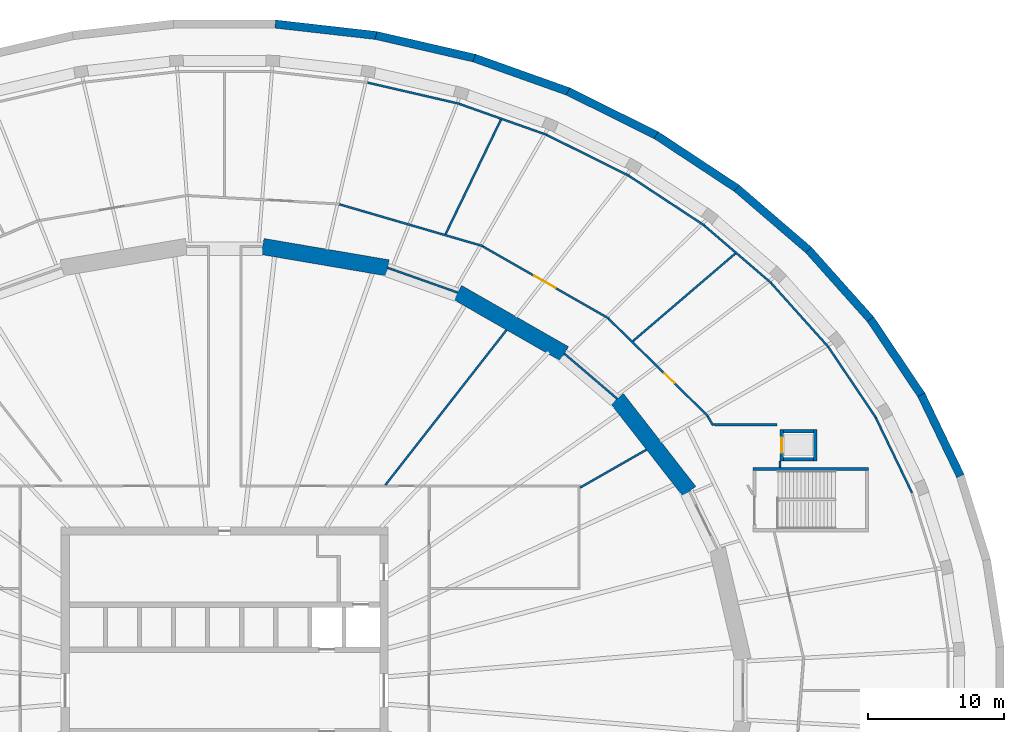
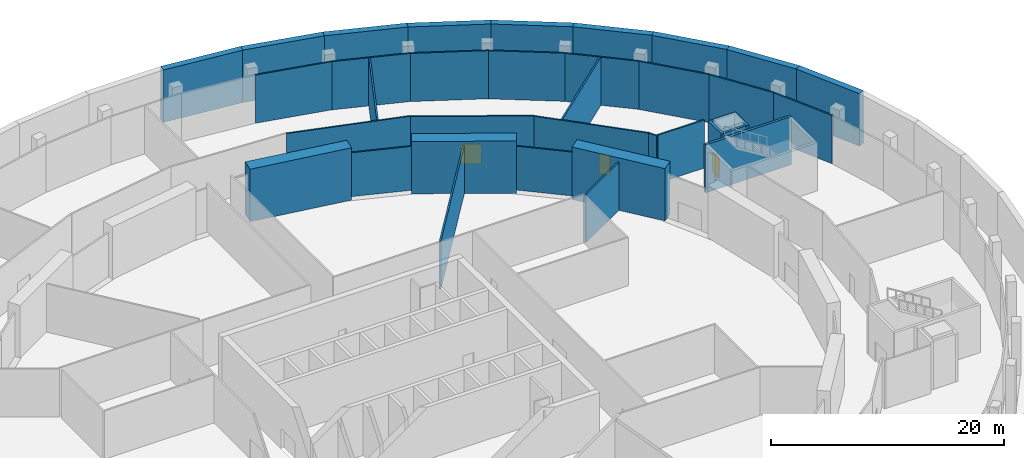
# One storey, part 11 of 14: 37 walls, 3 doors, 3 openings.
"""IFC4 building model written with IfcOpenShell, lengths in metres."""

from ifc_helpers import new_model, si_unit, direction, frame, frame_2d, origin, place, context, subcontext, project, spatial, polyline, rectangle, outline, extrude, material, layer, layer_set, type_object, element, fill, save


model = new_model("IFC4")

# Units and contexts
model_context = context("Model", 3, precision=1e-05, world=origin(), true_north=direction((0.0, 1.0)))
body_context = subcontext(model_context, "Body", "Model", "MODEL_VIEW")
ifc_project = project(units=[si_unit("LENGTHUNIT", "METRE"), si_unit("AREAUNIT", "SQUARE_METRE"), si_unit("VOLUMEUNIT", "CUBIC_METRE"), si_unit("PLANEANGLEUNIT", "RADIAN"), si_unit("MASSUNIT", "GRAM", prefix="KILO")], contexts=[model_context])

# Site, building, storey
site_placement = place(None, origin())
site = spatial("IfcSite", under=ifc_project, at=site_placement, CompositionType="ELEMENT")
building_placement = place(site_placement, origin())
building = spatial("IfcBuilding", under=site, at=building_placement, Name="Halqa Exchange Tower", CompositionType="ELEMENT")
storey_placement = place(building_placement, frame((0.0, 0.0, -9.5)))
storey = spatial("IfcBuildingStorey", under=building, at=storey_placement, Name="B2", CompositionType="ELEMENT", Elevation=-9.5)

# Walls
ifc_material_1 = material(Name="Fire-rated gypsum board")
ifc_layer_1 = layer(ifc_material_1, 0.14990234375)
ifc_layer_set_1 = layer_set([ifc_layer_1], Name="Fire-rated gypsum board")
wall_type_1 = type_object("IfcWallType", Name="Fire partition EI 60 150", PredefinedType="PARTITIONING", material=ifc_layer_set_1)
wall_1_placement = place(storey_placement, frame((8.416015625, 35.672119140625, 0.0), z_axis=(0.0, 0.0, 1.0), x_axis=(0.960099578905, -0.279658360479, 0.0)))
element("IfcWall", 1, at=wall_1_placement, inside=storey, type_object=wall_type_1, Name="B2-PWL-084", PredefinedType="PARTITIONING", context=body_context, shape_type="SweptSolid", body=[
    extrude(rectangle(XDim=10.97705078125, YDim=0.14990234375, at=frame_2d((5.488525390625, 0.0))), origin(), (0.0, 0.0, 1.0), 5.050048828125),
])
wall_2_placement = place(storey_placement, frame((10.4833984375, 44.600830078125, 0.0), z_axis=(0.0, 0.0, 1.0), x_axis=(0.974487031509, -0.224443813504, 0.0)))
element("IfcWall", 2, at=wall_2_placement, inside=storey, type_object=wall_type_1, Name="B2-PWL-086", PredefinedType="PARTITIONING", context=body_context, shape_type="SweptSolid", body=[
    extrude(rectangle(XDim=6.90625, YDim=0.14990234375, at=frame_2d((3.453125, 0.0))), origin(), (0.0, 0.0, 1.0), 5.050048828125),
])
wall_3_placement = place(storey_placement, frame((11.7880859375, 15.074462890625, 0.0), z_axis=(0.0, 0.0, 1.0), x_axis=(0.615848120598, 0.787864894735, 0.0)))
element("IfcWall", 3, at=wall_3_placement, inside=storey, type_object=wall_type_1, Name="B2-PWL-088", PredefinedType="PARTITIONING", context=body_context, shape_type="SweptSolid", body=[
    extrude(outline(polyline([(0.0, -0.074951171875), (14.44921875, -0.074951171875), (14.427734375, 0.074951171875), (0.0, 0.074951171875), (0.0, -0.074951171875)])), origin(), (0.0, 0.0, 1.0), 5.050048828125),
])
wall_4_placement = place(storey_placement, frame((16.2041015625, 33.480712890625, 0.0), z_axis=(0.0, 0.0, 1.0), x_axis=(0.435389941519, 0.90024196682, 0.0)))
element("IfcWall", 4, at=wall_4_placement, inside=storey, type_object=wall_type_1, Name="B2-PWL-095", PredefinedType="PARTITIONING", context=body_context, shape_type="SweptSolid", body=[
    extrude(outline(polyline([(0.0126953125, -0.074951171875), (9.339111328125, -0.074951171875), (9.322509765625, 0.074951171875), (-0.0126953125, 0.074951171875), (0.0126953125, -0.074951171875)])), origin(), (0.0, 0.0, 1.0), 5.050048828125),
])
wall_5_placement = place(storey_placement, frame((17.0908203125, 29.19970703125, 0.0), z_axis=(0.0, 0.0, 1.0), x_axis=(-0.942814385805, 0.333318217204, 0.0)))
element("IfcWall", 5, at=wall_5_placement, inside=storey, type_object=wall_type_1, Name="B2-PWL-096", PredefinedType="PARTITIONING", context=body_context, shape_type="SweptSolid", body=[
    extrude(outline(polyline([(-0.013671875, -0.074951171875), (5.44775390625, -0.074951171875), (5.421875, 0.074951171875), (0.013671875, 0.074951171875), (-0.013671875, -0.074951171875)])), origin(), (0.0, 0.0, 1.0), 4.60009765625),
])
wall_6_placement = place(storey_placement, frame((17.210693359375, 43.04150390625, 0.0), z_axis=(0.0, 0.0, 1.0), x_axis=(0.94266330093, -0.333745263757, 0.0)))
element("IfcWall", 6, at=wall_6_placement, inside=storey, type_object=wall_type_1, Name="B2-PWL-099", PredefinedType="PARTITIONING", context=body_context, shape_type="SweptSolid", body=[
    extrude(rectangle(XDim=6.83154296875, YDim=0.14990234375, at=frame_2d((3.415771484375, 0.0))), origin(), (0.0, 0.0, 1.0), 5.050048828125),
])

# Wall, opening, door
wall_7_placement = place(storey_placement, frame((18.94775390625, 32.579833984375, 0.0), z_axis=(0.0, 0.0, 1.0), x_axis=(0.867835024459, -0.496852463336, 0.0)))
wall_7 = element("IfcWall", 7, at=wall_7_placement, inside=storey, type_object=wall_type_1, Name="B2-PWL-100", PredefinedType="PARTITIONING", context=body_context, shape_type="SweptSolid", body=[
    extrude(rectangle(XDim=10.646728515625, YDim=0.14990234375, at=frame_2d((5.3232421875, 0.0))), origin(), (0.0, 0.0, 1.0), 5.050048828125),
])
opening_1_placement = place(wall_7_placement, frame((4.322509765625, 0.0, 0.0)))
opening_1 = element("IfcOpeningElement", 8, at=opening_1_placement, cuts=wall_7, Name="Opening B2-23", PredefinedType="OPENING", context=body_context, shape_type="SweptSolid", body=[
    extrude(rectangle(XDim=1.800048828125, YDim=2.10009765625, at=frame_2d((0.89990234375, 1.050048828125))), frame((0.0, 0.0869140625, 0.0), z_axis=(0.0, -1.0, 0.0), x_axis=(1.0, 0.0, 0.0)), (0.0, 0.0, 1.0), 0.173828125),
])
ifc_material_2 = material(Name="Steel fire door leaf", Category="steel")
door_type_1 = type_object("IfcDoorType", Name="Fire door FD30S double 1800 x 2100", OperationType="DOUBLE_DOOR_SINGLE_SWING", PredefinedType="DOOR", material=ifc_material_2)
door_1_placement = place(opening_1_placement, origin())
door_1 = element("IfcDoor", 9, at=door_1_placement, inside=storey, type_object=door_type_1, Name="B2-IDR-023", OperationType="DOUBLE_DOOR_SINGLE_SWING", OverallHeight=2.10009765625, OverallWidth=1.800048828125, PredefinedType="DOOR", context=body_context, shape_type="SweptSolid", body=[
    extrude(rectangle(XDim=1.800048828125, YDim=2.10009765625, at=frame_2d((0.89990234375, 1.050048828125))), frame((0.0, 0.02490234375, 0.0), z_axis=(0.0, -1.0, 0.0), x_axis=(1.0, 0.0, 0.0)), (0.0, 0.0, 1.0), 0.050048828125),
])
fill(opening_1, door_1)

# Walls
wall_8_placement = place(storey_placement, frame((23.646484375, 40.751953125, 0.0), z_axis=(0.0, 0.0, 1.0), x_axis=(0.895909442692, -0.444236727991, 0.0)))
element("IfcWall", 10, at=wall_8_placement, inside=storey, type_object=wall_type_1, Name="B2-PWL-101", PredefinedType="PARTITIONING", context=body_context, shape_type="SweptSolid", body=[
    extrude(rectangle(XDim=6.730712890625, YDim=0.14990234375, at=frame_2d((3.365234375, 0.0))), origin(), (0.0, 0.0, 1.0), 5.050048828125),
])
wall_9_placement = place(storey_placement, frame((26.07421875, 14.88232421875, 0.0), z_axis=(0.0, 0.0, 1.0), x_axis=(0.868133416031, 0.496330909746, 0.0)))
element("IfcWall", 11, at=wall_9_placement, inside=storey, type_object=wall_type_1, Name="B2-PWL-108", PredefinedType="PARTITIONING", context=body_context, shape_type="SweptSolid", body=[
    extrude(outline(polyline([(0.0, -0.074951171875), (5.625732421875, -0.074951171875), (5.604248046875, 0.074951171875), (0.0, 0.074951171875), (0.0, -0.074951171875)])), origin(), (0.0, 0.0, 1.0), 5.050048828125),
])

# Wall, opening, door
wall_10_placement = place(storey_placement, frame((28.173583984375, 27.267822265625, 0.0), z_axis=(0.0, 0.0, 1.0), x_axis=(0.714427427428, -0.699709547554, 0.0)))
wall_10 = element("IfcWall", 12, at=wall_10_placement, inside=storey, type_object=wall_type_1, Name="B2-PWL-109", PredefinedType="PARTITIONING", context=body_context, shape_type="SweptSolid", body=[
    extrude(rectangle(XDim=10.20166015625, YDim=0.14990234375, at=frame_2d((5.100830078125, 0.0))), origin(), (0.0, 0.0, 1.0), 5.050048828125),
])
opening_2_placement = place(wall_10_placement, frame((5.739501953125, 0.0, 0.0)))
opening_2 = element("IfcOpeningElement", 13, at=opening_2_placement, cuts=wall_10, Name="Opening B2-22", PredefinedType="OPENING", context=body_context, shape_type="SweptSolid", body=[
    extrude(rectangle(XDim=1.0, YDim=2.10009765625, at=frame_2d((0.5, 1.050048828125))), frame((0.0, 0.0869140625, 0.0), z_axis=(0.0, -1.0, 0.0), x_axis=(1.0, 0.0, 0.0)), (0.0, 0.0, 1.0), 0.173828125),
])
door_type_2 = type_object("IfcDoorType", Name="Fire door FD30S 1000 x 2100", OperationType="SINGLE_SWING_LEFT", PredefinedType="DOOR", material=ifc_material_2)
door_2_placement = place(opening_2_placement, origin())
door_2 = element("IfcDoor", 14, at=door_2_placement, inside=storey, type_object=door_type_2, Name="B2-IDR-022", OperationType="SINGLE_SWING_RIGHT", OverallHeight=2.10009765625, OverallWidth=1.0, PredefinedType="DOOR", context=body_context, shape_type="SweptSolid", body=[
    extrude(rectangle(XDim=1.0, YDim=2.10009765625, at=frame_2d((0.5, 1.050048828125))), frame((0.0, 0.02490234375, 0.0), z_axis=(0.0, -1.0, 0.0), x_axis=(1.0, 0.0, 0.0)), (0.0, 0.0, 1.0), 0.050048828125),
])
fill(opening_2, door_2)

# Walls
wall_11_placement = place(storey_placement, frame((28.789306640625, 21.41064453125, 0.0), z_axis=(0.0, 0.0, 1.0), x_axis=(-0.760084552743, 0.649824185978, 0.0)))
element("IfcWall", 15, at=wall_11_placement, inside=storey, type_object=wall_type_1, Name="B2-PWL-110", PredefinedType="PARTITIONING", context=body_context, shape_type="SweptSolid", body=[
    extrude(outline(polyline([(-0.015380859375, -0.074951171875), (5.089111328125, -0.074951171875), (5.060791015625, 0.074951171875), (0.015380859375, 0.074951171875), (-0.015380859375, -0.074951171875)])), origin(), (0.0, 0.0, 1.0), 4.60009765625),
])
wall_12_placement = place(storey_placement, frame((29.67138671875, 37.7529296875, 0.0), z_axis=(0.0, 0.0, 1.0), x_axis=(0.83553583791, -0.549435950378, 0.0)))
element("IfcWall", 16, at=wall_12_placement, inside=storey, type_object=wall_type_1, Name="B2-PWL-112", PredefinedType="PARTITIONING", context=body_context, shape_type="SweptSolid", body=[
    extrude(rectangle(XDim=6.6064453125, YDim=0.14990234375, at=frame_2d((3.30322265625, 0.0))), origin(), (0.0, 0.0, 1.0), 5.050048828125),
])
wall_13_placement = place(storey_placement, frame((29.950439453125, 25.631591796875, 0.0), z_axis=(0.0, 0.0, 1.0), x_axis=(0.759739094859, 0.650228042876, 0.0)))
element("IfcWall", 17, at=wall_13_placement, inside=storey, type_object=wall_type_1, Name="B2-PWL-114", PredefinedType="PARTITIONING", context=body_context, shape_type="SweptSolid", body=[
    extrude(outline(polyline([(0.006591796875, -0.074951171875), (9.901123046875, -0.074951171875), (9.877685546875, 0.074951171875), (-0.006591796875, 0.074951171875), (0.006591796875, -0.074951171875)])), origin(), (0.0, 0.0, 1.0), 5.050048828125),
])
wall_14_placement = place(storey_placement, frame((35.184814453125, 34.1142578125, 0.0), z_axis=(0.0, 0.0, 1.0), x_axis=(0.759033312601, -0.651051787773, 0.0)))
element("IfcWall", 18, at=wall_14_placement, inside=storey, type_object=wall_type_1, Name="B2-PWL-119", PredefinedType="PARTITIONING", context=body_context, shape_type="SweptSolid", body=[
    extrude(rectangle(XDim=6.484375, YDim=0.14990234375, at=frame_2d((3.2421875, 0.0))), origin(), (0.0, 0.0, 1.0), 5.050048828125),
])
wall_15_placement = place(storey_placement, frame((35.442626953125, 20.11083984375, 0.0), z_axis=(0.0, 0.0, 1.0), x_axis=(0.507767925719, -0.861493896444, 0.0)))
element("IfcWall", 19, at=wall_15_placement, inside=storey, type_object=wall_type_1, Name="B2-PWL-120", PredefinedType="PARTITIONING", context=body_context, shape_type="SweptSolid", body=[
    extrude(rectangle(XDim=0.770263671875, YDim=0.14990234375, at=frame_2d((0.38525390625, 0.0))), origin(), (0.0, 0.0, 1.0), 5.050048828125),
])
wall_16_placement = place(storey_placement, frame((35.888916015625, 19.5, 0.0), z_axis=(0.0, 0.0, 1.0), x_axis=(1.0, 0.0, 0.0)))
element("IfcWall", 20, at=wall_16_placement, inside=storey, type_object=wall_type_1, Name="B2-PWL-122", PredefinedType="PARTITIONING", context=body_context, shape_type="SweptSolid", body=[
    extrude(outline(polyline([(0.044921875, -0.074951171875), (4.635986328125, -0.074951171875), (4.635986328125, 0.074951171875), (-0.044921875, 0.074951171875), (0.044921875, -0.074951171875)])), origin(), (0.0, 0.0, 1.0), 5.050048828125),
])
wall_17_placement = place(storey_placement, frame((40.0986328125, 29.884521484375, 0.0), z_axis=(0.0, 0.0, 1.0), x_axis=(0.6673947824, -0.744704105283, 0.0)))
element("IfcWall", 21, at=wall_17_placement, inside=storey, type_object=wall_type_1, Name="B2-PWL-127", PredefinedType="PARTITIONING", context=body_context, shape_type="SweptSolid", body=[
    extrude(rectangle(XDim=6.338134765625, YDim=0.14990234375, at=frame_2d((3.1689453125, 0.0))), origin(), (0.0, 0.0, 1.0), 5.050048828125),
])
wall_18_placement = place(storey_placement, frame((40.75, 16.85009765625, 0.0), z_axis=(0.0, 0.0, 1.0), x_axis=(0.0, -1.0, 0.0)))
element("IfcWall", 22, at=wall_18_placement, inside=storey, type_object=wall_type_1, Name="B2-PWL-131", PredefinedType="PARTITIONING", context=body_context, shape_type="SweptSolid", body=[
    extrude(rectangle(XDim=0.47607421875, YDim=0.14990234375, at=frame_2d((0.238037109375, 0.0))), origin(), (0.0, 0.0, 1.0), 5.050048828125),
])
wall_19_placement = place(storey_placement, frame((44.319091796875, 25.156982421875, 0.0), z_axis=(0.0, 0.0, 1.0), x_axis=(0.558812320082, -0.829294152231, 0.0)))
element("IfcWall", 23, at=wall_19_placement, inside=storey, type_object=wall_type_1, Name="B2-PWL-134", PredefinedType="PARTITIONING", context=body_context, shape_type="SweptSolid", body=[
    extrude(rectangle(XDim=6.2099609375, YDim=0.14990234375, at=frame_2d((3.10498046875, 0.0))), origin(), (0.0, 0.0, 1.0), 5.050048828125),
])
wall_20_placement = place(storey_placement, frame((47.7783203125, 20.000732421875, 0.0), z_axis=(0.0, 0.0, 1.0), x_axis=(0.434690826011, -0.900579749818, 0.0)))
element("IfcWall", 24, at=wall_20_placement, inside=storey, type_object=wall_type_1, Name="B2-PWL-136", PredefinedType="PARTITIONING", context=body_context, shape_type="SweptSolid", body=[
    extrude(rectangle(XDim=6.095947265625, YDim=0.14990234375, at=frame_2d((3.0478515625, 0.0))), origin(), (0.0, 0.0, 1.0), 5.050048828125),
])

# Wall, opening, door
ifc_material_3 = material(Name="Gypsum board")
ifc_layer_2 = layer(ifc_material_3, 0.25)
ifc_layer_set_2 = layer_set([ifc_layer_2], Name="Gypsum board")
wall_type_2 = type_object("IfcWallType", Name="Penthouse riser wall 250 gypsum", PredefinedType="PARTITIONING", material=ifc_layer_set_2)
wall_21_placement = place(storey_placement, frame((40.875, 16.85009765625, 0.0), z_axis=(0.0, 0.0, 1.0), x_axis=(0.0, 1.0, 0.0)))
wall_21 = element("IfcWall", 25, at=wall_21_placement, inside=storey, type_object=wall_type_2, Name="Station lift AL1 wall west", PredefinedType="PARTITIONING", context=body_context, shape_type="SweptSolid", body=[
    extrude(rectangle(XDim=2.2998046875, YDim=0.25, at=frame_2d((1.14990234375, 0.0))), origin(), (0.0, 0.0, 1.0), 5.050048828125),
])
opening_3_placement = place(wall_21_placement, frame((0.60009765625, 0.0, 0.0)))
opening_3 = element("IfcOpeningElement", 26, at=opening_3_placement, cuts=wall_21, Name="Opening LD-AL1-B2", PredefinedType="OPENING", context=body_context, shape_type="SweptSolid", body=[
    extrude(rectangle(XDim=1.10009765625, YDim=2.10009765625, at=frame_2d((0.550048828125, 1.050048828125))), frame((0.0, 0.136962890625, 0.0), z_axis=(0.0, -1.0, 0.0), x_axis=(1.0, 0.0, 0.0)), (0.0, 0.0, 1.0), 0.27392578125),
])
ifc_material_4 = material(Name="Stainless steel", Category="steel")
door_type_3 = type_object("IfcDoorType", Name="Lift landing door 1100 x 2100", OperationType="SLIDING_TO_LEFT", PredefinedType="DOOR", material=ifc_material_4)
door_3_placement = place(opening_3_placement, origin())
door_3 = element("IfcDoor", 27, at=door_3_placement, inside=storey, type_object=door_type_3, Name="Lift landing door AL1", OperationType="SLIDING_TO_LEFT", OverallHeight=2.10009765625, OverallWidth=1.10009765625, PredefinedType="DOOR", context=body_context, shape_type="SweptSolid", body=[
    extrude(rectangle(XDim=1.10009765625, YDim=2.10009765625, at=frame_2d((0.550048828125, 1.050048828125))), frame((0.0, 0.02490234375, 0.0), z_axis=(0.0, -1.0, 0.0), x_axis=(1.0, 0.0, 0.0)), (0.0, 0.0, 1.0), 0.050048828125),
])
fill(opening_3, door_3)

# Walls
wall_22_placement = place(storey_placement, frame((43.324951171875, 16.85009765625, 0.0), z_axis=(0.0, 0.0, 1.0), x_axis=(0.0, 1.0, 0.0)))
element("IfcWall", 28, at=wall_22_placement, inside=storey, type_object=wall_type_2, Name="Station lift AL1 wall east", PredefinedType="PARTITIONING", context=body_context, shape_type="SweptSolid", body=[
    extrude(rectangle(XDim=2.2998046875, YDim=0.25, at=frame_2d((1.14990234375, 0.0))), origin(), (0.0, 0.0, 1.0), 5.050048828125),
])
for number, where, z_axis, x_axis, name in (
    (29, (41.0, 19.02490234375, 0.0), (0.0, 0.0, 1.0), (1.0, 0.0, 0.0), "Station lift AL1 wall north"),
    (30, (41.0, 16.97509765625, 0.0), (0.0, 0.0, 1.0), (1.0, 0.0, 0.0), "Station lift AL1 wall south"),
):
    element("IfcWall", number, at=place(storey_placement, frame(where, z_axis=z_axis, x_axis=x_axis)), inside=storey, type_object=wall_type_2, Name=name, PredefinedType="PARTITIONING", context=body_context, shape_type="SweptSolid", body=[
        extrude(rectangle(XDim=2.199951171875, YDim=0.25, at=frame_2d((1.10009765625, 0.0))), origin(), (0.0, 0.0, 1.0), 5.050048828125),
    ])
ifc_material_5 = material(Name="Concrete C40/50", Category="concrete")
ifc_layer_3 = layer(ifc_material_5, 0.60009765625)
ifc_layer_set_3 = layer_set([ifc_layer_3], Name="Concrete C40/50")
wall_type_3 = type_object("IfcWallType", Name="RC basement wall 600", PredefinedType="SOLIDWALL", material=ifc_layer_set_3)
wall_23_placement = place(storey_placement, frame((53.984619140625, 15.730712890625, 0.0), z_axis=(0.0, 0.0, 1.0), x_axis=(-0.434104041315, 0.900862742772, 0.0)))
element("IfcWall", 31, at=wall_23_placement, inside=storey, type_object=wall_type_3, Name="Basement retaining wall", PredefinedType="SOLIDWALL", context=body_context, shape_type="SweptSolid", body=[
    extrude(rectangle(XDim=6.61669921875, YDim=0.60009765625, at=frame_2d((3.308349609375, 0.0))), origin(), (0.0, 0.0, 1.0), 5.5),
])
wall_24_placement = place(storey_placement, frame((51.133544921875, 21.654296875, 0.0), z_axis=(0.0, 0.0, 1.0), x_axis=(-0.557518861869, 0.830164272093, 0.0)))
element("IfcWall", 32, at=wall_24_placement, inside=storey, type_object=wall_type_3, Name="Basement retaining wall", PredefinedType="SOLIDWALL", context=body_context, shape_type="SweptSolid", body=[
    extrude(rectangle(XDim=6.728515625, YDim=0.60009765625, at=frame_2d((3.3642578125, 0.0))), origin(), (0.0, 0.0, 1.0), 5.5),
])
wall_25_placement = place(storey_placement, frame((47.407470703125, 27.20751953125, 0.0), z_axis=(0.0, 0.0, 1.0), x_axis=(-0.665894053378, 0.74604631872, 0.0)))
element("IfcWall", 33, at=wall_25_placement, inside=storey, type_object=wall_type_3, Name="Basement retaining wall", PredefinedType="SOLIDWALL", context=body_context, shape_type="SweptSolid", body=[
    extrude(rectangle(XDim=6.8564453125, YDim=0.60009765625, at=frame_2d((3.42822265625, 0.0))), origin(), (0.0, 0.0, 1.0), 5.5),
])
wall_26_placement = place(storey_placement, frame((42.869873046875, 32.294921875, 0.0), z_axis=(0.0, 0.0, 1.0), x_axis=(-0.758319142722, 0.65188348482, 0.0)))
element("IfcWall", 34, at=wall_26_placement, inside=storey, type_object=wall_type_3, Name="Basement retaining wall", PredefinedType="SOLIDWALL", context=body_context, shape_type="SweptSolid", body=[
    extrude(rectangle(XDim=6.991455078125, YDim=0.60009765625, at=frame_2d((3.49560546875, 0.0))), origin(), (0.0, 0.0, 1.0), 5.5),
])
wall_27_placement = place(storey_placement, frame((37.5986328125, 36.82958984375, 0.0), z_axis=(0.0, 0.0, 1.0), x_axis=(-0.834745196239, 0.550636411215, 0.0)))
element("IfcWall", 35, at=wall_27_placement, inside=storey, type_object=wall_type_3, Name="Basement retaining wall", PredefinedType="SOLIDWALL", context=body_context, shape_type="SweptSolid", body=[
    extrude(rectangle(XDim=7.123779296875, YDim=0.60009765625, at=frame_2d((3.56201171875, 0.0))), origin(), (0.0, 0.0, 1.0), 5.5),
])
wall_28_placement = place(storey_placement, frame((31.68408203125, 40.73388671875, 0.0), z_axis=(0.0, 0.0, 1.0), x_axis=(-0.895750986496, 0.44455614965, 0.0)))
element("IfcWall", 36, at=wall_28_placement, inside=storey, type_object=wall_type_3, Name="Basement retaining wall", PredefinedType="SOLIDWALL", context=body_context, shape_type="SweptSolid", body=[
    extrude(rectangle(XDim=7.244873046875, YDim=0.60009765625, at=frame_2d((3.62255859375, 0.0))), origin(), (0.0, 0.0, 1.0), 5.5),
])
wall_29_placement = place(storey_placement, frame((25.227294921875, 43.94091796875, 0.0), z_axis=(0.0, 0.0, 1.0), x_axis=(-0.942060991409, 0.33544163198, 0.0)))
element("IfcWall", 37, at=wall_29_placement, inside=storey, type_object=wall_type_3, Name="Basement retaining wall", PredefinedType="SOLIDWALL", context=body_context, shape_type="SweptSolid", body=[
    extrude(rectangle(XDim=7.347412109375, YDim=0.60009765625, at=frame_2d((3.673828125, 0.0))), origin(), (0.0, 0.0, 1.0), 5.5),
])
wall_30_placement = place(storey_placement, frame((18.3388671875, 46.395751953125, 0.0), z_axis=(0.0, 0.0, 1.0), x_axis=(-0.974485322097, 0.224451235276, 0.0)))
element("IfcWall", 38, at=wall_30_placement, inside=storey, type_object=wall_type_3, Name="Basement retaining wall", PredefinedType="SOLIDWALL", context=body_context, shape_type="SweptSolid", body=[
    extrude(rectangle(XDim=7.4248046875, YDim=0.60009765625, at=frame_2d((3.71240234375, 0.0))), origin(), (0.0, 0.0, 1.0), 5.5),
])
wall_31_placement = place(storey_placement, frame((11.13720703125, 48.056640625, 0.0), z_axis=(0.0, 0.0, 1.0), x_axis=(-0.993658203282, 0.112442763445, 0.0)))
element("IfcWall", 39, at=wall_31_placement, inside=storey, type_object=wall_type_3, Name="Basement retaining wall", PredefinedType="SOLIDWALL", context=body_context, shape_type="SweptSolid", body=[
    extrude(rectangle(XDim=7.473388671875, YDim=0.60009765625, at=frame_2d((3.73681640625, 0.0))), origin(), (0.0, 0.0, 1.0), 5.5),
])
ifc_material_6 = material(Name="Concrete C80/95", Category="concrete")
ifc_layer_4 = layer(ifc_material_6, 1.199951171875)
ifc_layer_set_4 = layer_set([ifc_layer_4], Name="Concrete C80/95")
wall_type_4 = type_object("IfcWallType", Name="RC ring pier 1200 C80/95", PredefinedType="SHEAR", material=ifc_layer_set_4)
wall_32_placement = place(storey_placement, frame((34.09716796875, 14.60498046875, 0.0), z_axis=(0.0, 0.0, 1.0), x_axis=(-0.614825322247, 0.788663314174, 0.0)))
element("IfcWall", 40, at=wall_32_placement, inside=storey, type_object=wall_type_4, Name="Ring pier 2", PredefinedType="SHEAR", context=body_context, shape_type="SweptSolid", body=[
    extrude(rectangle(XDim=8.631591796875, YDim=1.199951171875, at=frame_2d((4.31591796875, 0.0))), origin(), (0.0, 0.0, 1.0), 5.5),
])
wall_33_placement = place(storey_placement, frame((24.931396484375, 24.705810546875, 0.0), z_axis=(0.0, 0.0, 1.0), x_axis=(-0.867760656864, 0.496982336103, 0.0)))
element("IfcWall", 41, at=wall_33_placement, inside=storey, type_object=wall_type_4, Name="Ring pier 3", PredefinedType="SHEAR", context=body_context, shape_type="SweptSolid", body=[
    extrude(rectangle(XDim=9.037841796875, YDim=1.199951171875, at=frame_2d((4.51904296875, 0.0))), origin(), (0.0, 0.0, 1.0), 5.5),
])
wall_34_placement = place(storey_placement, frame((11.96728515625, 31.00927734375, 0.0), z_axis=(0.0, 0.0, 1.0), x_axis=(-0.985776286846, 0.168062822456, 0.0)))
element("IfcWall", 42, at=wall_34_placement, inside=storey, type_object=wall_type_4, Name="Ring pier 4", PredefinedType="SHEAR", context=body_context, shape_type="SweptSolid", body=[
    extrude(rectangle(XDim=9.3115234375, YDim=1.199951171875, at=frame_2d((4.65576171875, 0.0))), origin(), (0.0, 0.0, 1.0), 5.5),
])
ifc_material_7 = material(Name="Concrete C30/37", Category="concrete")
ifc_layer_5 = layer(ifc_material_7, 0.25)
ifc_layer_set_5 = layer_set([ifc_layer_5], Name="Concrete C30/37")
wall_type_5 = type_object("IfcWallType", Name="RC stair wall 250 C30/37", PredefinedType="SHEAR", material=ifc_layer_set_5)
wall_35_placement = place(storey_placement, frame((38.75, 16.25, 0.0), z_axis=(0.0, 0.0, 1.0), x_axis=(1.0, 0.0, 0.0)))
element("IfcWall", 43, at=wall_35_placement, inside=storey, type_object=wall_type_5, Name="Stair SS1 wall north", PredefinedType="SHEAR", context=body_context, shape_type="SweptSolid", body=[
    extrude(rectangle(XDim=8.5, YDim=0.25, at=frame_2d((4.25, 0.0))), origin(), (0.0, 0.0, 1.0), 5.050048828125),
])

save(model, "model.ifc")
